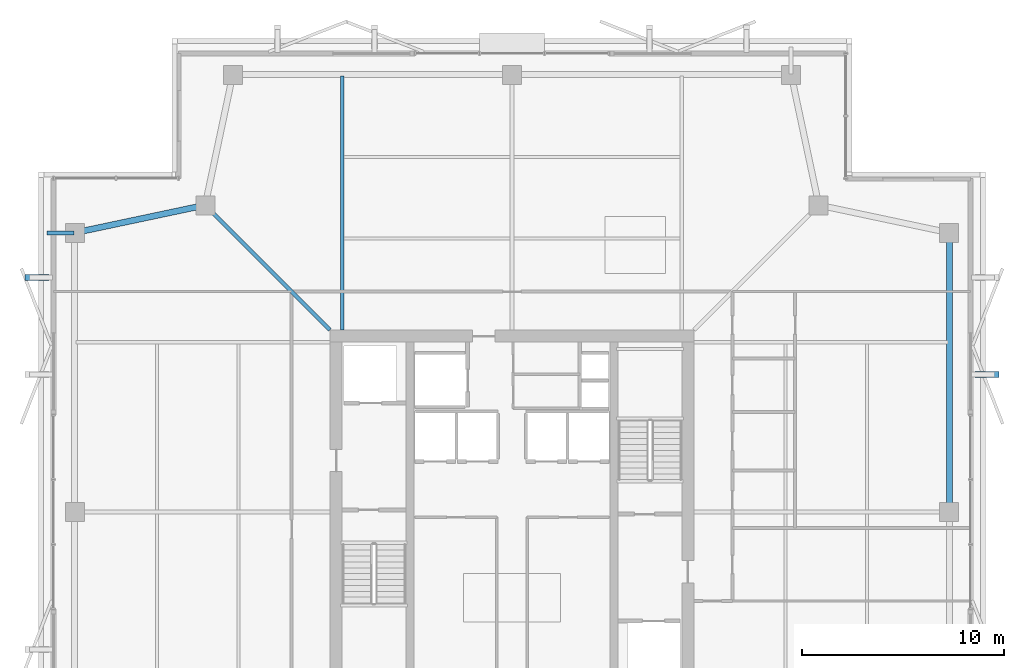
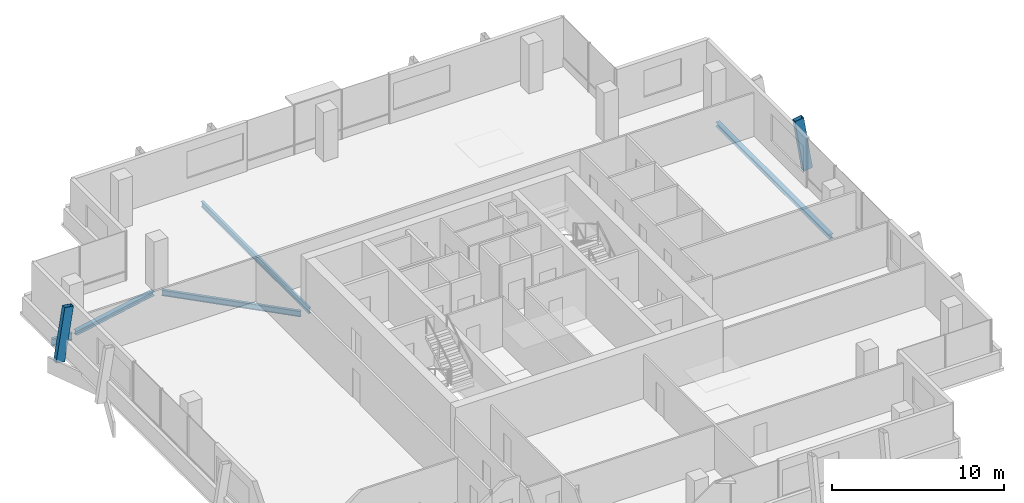
# One storey, part 13 of 26: 5 beams, 2 members.
"""IFC4 building model written with IfcOpenShell, lengths in metres."""

from ifc_helpers import new_model, si_unit, direction, frame, origin, origin_2d, place, context, subcontext, project, spatial, hollow_rectangle, i_section, extrude, material, material_profile, profile_set, type_object, element, save


model = new_model("IFC4")

# Units and contexts
model_context = context("Model", 3, precision=1e-05, world=origin(), true_north=direction((0.0, 1.0)))
body_context = subcontext(model_context, "Body", "Model", "MODEL_VIEW")
ifc_project = project(units=[si_unit("LENGTHUNIT", "METRE"), si_unit("AREAUNIT", "SQUARE_METRE"), si_unit("VOLUMEUNIT", "CUBIC_METRE"), si_unit("PLANEANGLEUNIT", "RADIAN"), si_unit("MASSUNIT", "GRAM", prefix="KILO")], contexts=[model_context])

# Site, building, storey
site_placement = place(None, origin())
site = spatial("IfcSite", under=ifc_project, at=site_placement, CompositionType="ELEMENT")
building_placement = place(site_placement, origin())
building = spatial("IfcBuilding", under=site, at=building_placement, Name="Belovzor Exchange Tower", CompositionType="ELEMENT")
storey_placement = place(building_placement, frame((0.0, 0.0, 295.5)))
storey = spatial("IfcBuildingStorey", under=building, at=storey_placement, Name="L73", CompositionType="ELEMENT", Elevation=295.5)

# Beam
ifc_material_1 = material(Name="Steel S355", Category="steel")
ifc_material_profile_1 = material_profile(ifc_material_1, i_section(OverallWidth=0.199951171875, OverallDepth=0.5, WebThickness=0.01025390625, FlangeThickness=0.01611328125, at=origin_2d()))
ifc_profile_set_1 = profile_set([ifc_material_profile_1], Name="Steel S355")
beam_type_1 = type_object("IfcBeamType", Name="Planted Balcony Cantilever Beam IPE 500", PredefinedType="BEAM", material=ifc_profile_set_1)
beam_1_placement = place(storey_placement, frame((7.15087890625, 42.60009765625, -0.489990234375), z_axis=(-1.0, 0.0, 0.0), x_axis=(0.0, -1.0, 0.0)))
element("IfcBeam", 1, at=beam_1_placement, inside=storey, type_object=beam_type_1, Name="BC-500 Planted Balcony Cantilever Beam IPE 500", PredefinedType="BEAM", context=body_context, shape_type="SweptSolid", body=[
    extrude(i_section(OverallWidth=0.199951171875, OverallDepth=0.5, WebThickness=0.01025390625, FlangeThickness=0.01611328125, at=origin_2d()), origin(), (0.0, 0.0, 1.0), 1.350830078125),
])

# Members
ifc_material_2 = material(Name="Extruded Architectural Terracotta on Steel S355 Carrier", Category="masonry")
ifc_material_profile_2 = material_profile(ifc_material_2, hollow_rectangle(XDim=0.300048828125, YDim=0.60009765625, WallThickness=0.01611328125, at=origin_2d()))
ifc_profile_set_2 = profile_set([ifc_material_profile_2], Name="Extruded Architectural Terracotta on Steel S355 Carrier")
member_type = type_object("IfcMemberType", Name="Upper Crown Terracotta Fin Assembly 550", PredefinedType="USERDEFINED", material=ifc_profile_set_2)
for number, where, z_axis, x_axis, name in (
    (2, (52.574951171875, 35.60009765625, -0.239990234375), (-0.157952891656, 0.0, 0.987446648694), (0.0, -1.0, 0.0), "FIN-TC055 Terracotta Facade Fin L73 E3"),
    (3, (5.02490234375, 40.39990234375, -0.239990234375), (0.158015573692, 0.0, 0.987436619977), (0.0, 1.0, 0.0), "FIN-TC055 Terracotta Facade Fin L73 W4"),
):
    element("IfcMember", number, at=place(storey_placement, frame(where, z_axis=z_axis, x_axis=x_axis)), inside=storey, type_object=member_type, Name=name, ObjectType="FIN", PredefinedType="USERDEFINED", context=body_context, shape_type="SweptSolid", body=[
        extrude(hollow_rectangle(XDim=0.300048828125, YDim=0.60009765625, WallThickness=0.01611328125, at=origin_2d()), origin(), (0.0, 0.0, 1.0), 3.797607421875),
    ])

# Beams
ifc_material_3 = material(Name="Steel S355", Category="steel")
ifc_material_profile_3 = material_profile(ifc_material_3, i_section(OverallWidth=0.179931640625, OverallDepth=0.39990234375, WebThickness=0.008544921875, FlangeThickness=0.013427734375, at=origin_2d()))
ifc_profile_set_3 = profile_set([ifc_material_profile_3], Name="Steel S355")
beam_type_2 = type_object("IfcBeamType", Name="Zone 5-6 Radial Composite Floor Beam IPE 400", PredefinedType="BEAM", material=ifc_profile_set_3)
beam_2_placement = place(storey_placement, frame((20.39990234375, 37.800048828125, -0.43994140625), z_axis=(0.0, 1.0, 0.0), x_axis=(-1.0, 0.0, 0.0)))
element("IfcBeam", 4, at=beam_2_placement, inside=storey, type_object=beam_type_2, Name="FB-400 Zone 5-6 Radial Composite Floor Beam IPE 400", PredefinedType="BEAM", context=body_context, shape_type="SweptSolid", body=[
    extrude(i_section(OverallWidth=0.179931640625, OverallDepth=0.39990234375, WebThickness=0.008544921875, FlangeThickness=0.013427734375, at=origin_2d()), origin(), (0.0, 0.0, 1.0), 12.56396484375),
])
beam_3_placement = place(storey_placement, frame((19.800048828125, 37.800048828125, -0.43994140625), z_axis=(-0.707004916717, 0.707208630984, 0.0), x_axis=(-0.707208630984, -0.707004916717, 0.0)))
element("IfcBeam", 5, at=beam_3_placement, inside=storey, type_object=beam_type_2, Name="FB-400 Zone 5-6 Radial Composite Floor Beam IPE 400", PredefinedType="BEAM", context=body_context, shape_type="SweptSolid", body=[
    extrude(i_section(OverallWidth=0.179931640625, OverallDepth=0.39990234375, WebThickness=0.008544921875, FlangeThickness=0.013427734375, at=origin_2d()), origin(), (0.0, 0.0, 1.0), 8.38916015625),
])
ifc_material_4 = material(Name="Steel S355", Category="steel")
ifc_material_profile_4 = material_profile(ifc_material_4, i_section(OverallWidth=0.300048828125, OverallDepth=0.300048828125, WebThickness=0.008544921875, FlangeThickness=0.013916015625, at=origin_2d()))
ifc_profile_set_4 = profile_set([ifc_material_profile_4], Name="Steel S355")
beam_type_3 = type_object("IfcBeamType", Name="Zone 6 Primary Girder HEA 300", PredefinedType="BEAM", material=ifc_profile_set_4)
beam_4_placement = place(storey_placement, frame((50.43896484375, 29.06103515625, -0.389892578125), z_axis=(0.0, 1.0, 0.0), x_axis=(-1.0, 0.0, 0.0)))
element("IfcBeam", 6, at=beam_4_placement, inside=storey, type_object=beam_type_3, Name="FG-Z6 Zone 6 Primary Girder HEA 300", PredefinedType="BEAM", context=body_context, shape_type="SweptSolid", body=[
    extrude(i_section(OverallWidth=0.300048828125, OverallDepth=0.300048828125, WebThickness=0.008544921875, FlangeThickness=0.013916015625, at=origin_2d()), origin(), (0.0, 0.0, 1.0), 13.278076171875),
])
beam_5_placement = place(storey_placement, frame((13.375, 43.916015625, -0.389892578125), z_axis=(-0.978295974191, -0.20721241971, 0.0), x_axis=(0.20721241971, -0.978295974191, 0.0)))
element("IfcBeam", 7, at=beam_5_placement, inside=storey, type_object=beam_type_3, Name="FG-Z6 Zone 6 Primary Girder HEA 300", PredefinedType="BEAM", context=body_context, shape_type="SweptSolid", body=[
    extrude(i_section(OverallWidth=0.300048828125, OverallDepth=0.300048828125, WebThickness=0.008544921875, FlangeThickness=0.013916015625, at=origin_2d()), origin(), (0.0, 0.0, 1.0), 6.090087890625),
])

save(model, "model.ifc")
